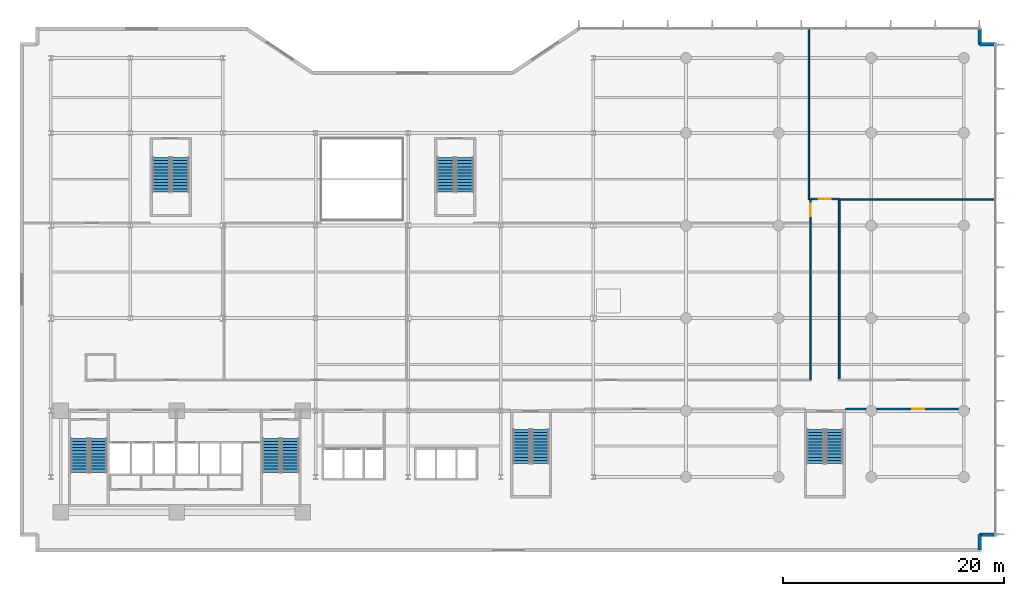
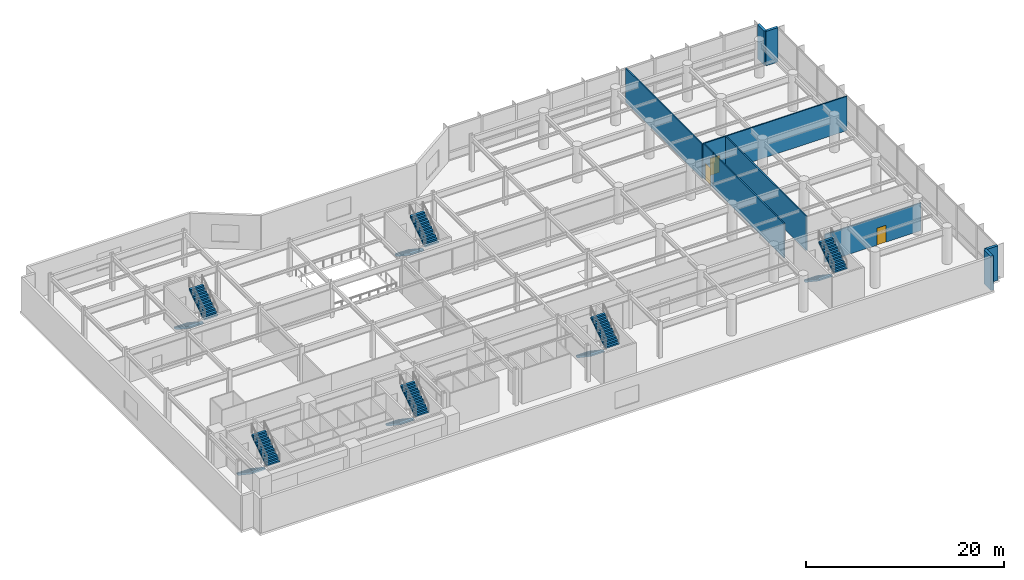
# One storey, part 18 of 26: 12 stair flights, 11 walls, 3 doors, 3 openings, 6 elements without a shape of their own.
"""IFC4 building model written with IfcOpenShell, lengths in metres."""

from ifc_helpers import new_model, si_unit, direction, frame, frame_2d, origin, place, context, subcontext, project, spatial, polyline, rectangle, outline, extrude, material, layer, layer_set, type_object, element, fill, aggregate, save


model = new_model("IFC4")

# Units and contexts
model_context = context("Model", 3, precision=1e-05, world=origin(), true_north=direction((0.0, 1.0)))
body_context = subcontext(model_context, "Body", "Model", "MODEL_VIEW")
ifc_project = project(units=[si_unit("LENGTHUNIT", "METRE"), si_unit("AREAUNIT", "SQUARE_METRE"), si_unit("VOLUMEUNIT", "CUBIC_METRE"), si_unit("PLANEANGLEUNIT", "RADIAN"), si_unit("MASSUNIT", "GRAM", prefix="KILO")], contexts=[model_context])

# Site, building, storey
site_placement = place(None, origin())
site = spatial("IfcSite", under=ifc_project, at=site_placement, CompositionType="ELEMENT")
building_placement = place(site_placement, origin())
building = spatial("IfcBuilding", under=site, at=building_placement, Name="Varnakote Quay Hospital", CompositionType="ELEMENT")
storey_placement = place(building_placement, frame((0.0, 0.0, 4.5)))
storey = spatial("IfcBuildingStorey", under=building, at=storey_placement, Name="L01", CompositionType="ELEMENT", Elevation=4.5)

# Walls
ifc_material_1 = material(Name="Precast concrete N50 (f'c 50 MPa)", Category="concrete")
ifc_layer_1 = layer(ifc_material_1, 0.300048828125)
ifc_layer_set_1 = layer_set([ifc_layer_1], Name="Precast concrete N50 (f'c 50 MPa)")
wall_type_1 = type_object("IfcWallType", Name="WL-EXT-BRICK-300", PredefinedType="STANDARD", material=ifc_layer_set_1)
wall_1_placement = place(storey_placement, frame((85.43994140625, -0.639892578125, 0.0), z_axis=(0.0, 0.0, 1.0), x_axis=(0.0, 1.0, 0.0)))
element("IfcWall", 1, at=wall_1_placement, inside=storey, type_object=wall_type_1, Name="L01 Brick-Faced Precast Exterior Wall", PredefinedType="STANDARD", context=body_context, shape_type="SweptSolid", body=[
    extrude(rectangle(XDim=1.39990234375, YDim=0.300048828125, at=frame_2d((0.699951171875, 0.0))), origin(), (0.0, 0.0, 1.0), 4.25),
])
for number, where, z_axis, x_axis, name in (
    (2, (85.43994140625, 0.760009765625, 0.0), (0.0, 0.0, 1.0), (1.0, 0.0, 0.0), "L01 Brick-Faced Precast Exterior Wall"),
    (3, (86.840087890625, 45.239990234375, 0.0), (0.0, 0.0, 1.0), (-1.0, 0.0, 0.0), "L01 Brick-Faced Precast Exterior Wall"),
):
    element("IfcWall", number, at=place(storey_placement, frame(where, z_axis=z_axis, x_axis=x_axis)), inside=storey, type_object=wall_type_1, Name=name, PredefinedType="STANDARD", context=body_context, shape_type="SweptSolid", body=[
        extrude(rectangle(XDim=1.400146484375, YDim=0.300048828125, at=frame_2d((0.7001953125, 0.0))), origin(), (0.0, 0.0, 1.0), 4.25),
    ])
wall_2_placement = place(storey_placement, frame((85.43994140625, 45.239990234375, 0.0), z_axis=(0.0, 0.0, 1.0), x_axis=(0.0, 1.0, 0.0)))
element("IfcWall", 4, at=wall_2_placement, inside=storey, type_object=wall_type_1, Name="L01 Brick-Faced Precast Exterior Wall", PredefinedType="STANDARD", context=body_context, shape_type="SweptSolid", body=[
    extrude(rectangle(XDim=1.39990234375, YDim=0.300048828125, at=frame_2d((0.699951171875, 0.0))), origin(), (0.0, 0.0, 1.0), 4.25),
])
ifc_material_2 = material(Name="Smoke-proof clinical partition", Category="gypsum")
ifc_layer_2 = layer(ifc_material_2, 0.135009765625)
ifc_layer_set_2 = layer_set([ifc_layer_2], Name="Smoke-proof clinical partition")
wall_type_2 = type_object("IfcWallType", Name="WL-SMOKE-135", PredefinedType="PARTITIONING", material=ifc_layer_set_2)
wall_3_placement = place(storey_placement, frame((86.840087890625, 31.179931640625, 0.0), z_axis=(0.0, 0.0, 1.0), x_axis=(-1.0, 0.0, 0.0)))
element("IfcWall", 5, at=wall_3_placement, inside=storey, type_object=wall_type_2, Name="L01 Clinical Interior Partition", PredefinedType="PARTITIONING", context=body_context, shape_type="SweptSolid", body=[
    extrude(rectangle(XDim=14.0751953125, YDim=0.135009765625, at=frame_2d((7.03759765625, 0.0))), origin(), (0.0, 0.0, 1.0), 4.25),
])
wall_4_placement = place(storey_placement, frame((69.949951171875, 31.1328125, 0.0), z_axis=(0.0, 0.0, 1.0), x_axis=(0.0, 1.0, 0.0)))
element("IfcWall", 6, at=wall_4_placement, inside=storey, type_object=wall_type_2, Name="L01 Clinical Interior Partition", PredefinedType="PARTITIONING", context=body_context, shape_type="SweptSolid", body=[
    extrude(rectangle(XDim=15.507080078125, YDim=0.135009765625, at=frame_2d((7.75341796875, 0.0))), origin(), (0.0, 0.0, 1.0), 4.25),
])

# Wall, opening, door
ifc_material_3 = material(Name="Fire-rated clinical gypsum partition", Category="gypsum")
ifc_layer_3 = layer(ifc_material_3, 0.14990234375)
ifc_layer_set_3 = layer_set([ifc_layer_3], Name="Fire-rated clinical gypsum partition")
wall_type_3 = type_object("IfcWallType", Name="WL-WARD-150", PredefinedType="PARTITIONING", material=ifc_layer_set_3)
wall_5_placement = place(storey_placement, frame((73.271484375, 12.159912109375, 0.0), z_axis=(0.0, 0.0, 1.0), x_axis=(1.0, 0.0, 0.0)))
wall_5 = element("IfcWall", 7, at=wall_5_placement, inside=storey, type_object=wall_type_3, Name="L01 Clinical Interior Partition", PredefinedType="PARTITIONING", context=body_context, shape_type="SweptSolid", body=[
    extrude(rectangle(XDim=11.228515625, YDim=0.14990234375, at=frame_2d((5.6142578125, 0.0))), origin(), (0.0, 0.0, 1.0), 3.425048828125),
])
opening_1_placement = place(wall_5_placement, frame((6.037109375, 0.0, 0.0)))
opening_1 = element("IfcOpeningElement", 8, at=opening_1_placement, cuts=wall_5, Name="Opening D-L01-ERAD", PredefinedType="OPENING", context=body_context, shape_type="SweptSolid", body=[
    extrude(rectangle(XDim=1.10009765625, YDim=2.10009765625, at=frame_2d((0.550048828125, 1.050048828125))), frame((0.0, 0.0849609375, 0.0), z_axis=(0.0, -1.0, 0.0), x_axis=(1.0, 0.0, 0.0)), (0.0, 0.0, 1.0), 0.169921875),
])
ifc_material_4 = material(Name="Acoustic timber clinical consult door", Category="wood")
door_type = type_object("IfcDoorType", Name="DR-CLIN-FD30S-1100x2100", OperationType="NOTDEFINED", PredefinedType="DOOR", material=ifc_material_4)
door_1_placement = place(opening_1_placement, origin())
door_1 = element("IfcDoor", 9, at=door_1_placement, inside=storey, type_object=door_type, Name="L01 Interventional Radiology Recovery Treatment Suite Door", OperationType="SINGLE_SWING_RIGHT", OverallHeight=2.10009765625, OverallWidth=1.10009765625, PredefinedType="DOOR", context=body_context, shape_type="SweptSolid", body=[
    extrude(rectangle(XDim=1.10009765625, YDim=2.10009765625, at=frame_2d((0.550048828125, 1.050048828125))), frame((0.0, 0.02490234375, 0.0), z_axis=(0.0, -1.0, 0.0), x_axis=(1.0, 0.0, 0.0)), (0.0, 0.0, 1.0), 0.050048828125),
])
fill(opening_1, door_1)

# Walls
wall_6_placement = place(storey_placement, frame((70.10009765625, 29.207275390625, 0.0), z_axis=(0.0, 0.0, 1.0), x_axis=(0.0, -1.0, 0.0)))
element("IfcWall", 10, at=wall_6_placement, inside=storey, type_object=wall_type_3, Name="L01 Clinical Interior Partition", PredefinedType="PARTITIONING", context=body_context, shape_type="SweptSolid", body=[
    extrude(rectangle(XDim=14.38720703125, YDim=0.14990234375, at=frame_2d((7.193603515625, 0.0))), origin(), (0.0, 0.0, 1.0), 4.25),
])
wall_7_placement = place(storey_placement, frame((72.699951171875, 14.820068359375, 0.0), z_axis=(0.0, 0.0, 1.0), x_axis=(0.0, 1.0, 0.0)))
element("IfcWall", 11, at=wall_7_placement, inside=storey, type_object=wall_type_3, Name="L01 Clinical Interior Partition", PredefinedType="PARTITIONING", context=body_context, shape_type="SweptSolid", body=[
    extrude(rectangle(XDim=16.3798828125, YDim=0.14990234375, at=frame_2d((8.18994140625, 0.0))), origin(), (0.0, 0.0, 1.0), 4.25),
])

# Wall, opening, door
wall_8_placement = place(storey_placement, frame((70.10009765625, 31.199951171875, 0.0), z_axis=(0.0, 0.0, 1.0), x_axis=(0.0, -1.0, 0.0)))
wall_8 = element("IfcWall", 12, at=wall_8_placement, inside=storey, type_object=wall_type_3, Name="L01 Clinical Interior Partition", PredefinedType="PARTITIONING", context=body_context, shape_type="SweptSolid", body=[
    extrude(rectangle(XDim=1.99072265625, YDim=0.14990234375, at=frame_2d((0.995361328125, 0.0))), origin(), (0.0, 0.0, 1.0), 4.25),
])
opening_2_placement = place(wall_8_placement, frame((0.4453125, 0.0, 0.0)))
opening_2 = element("IfcOpeningElement", 13, at=opening_2_placement, cuts=wall_8, Name="Opening D-L01-CONS", PredefinedType="OPENING", context=body_context, shape_type="SweptSolid", body=[
    extrude(rectangle(XDim=1.10009765625, YDim=2.10009765625, at=frame_2d((0.550048828125, 1.050048828125))), frame((0.0, 0.0849609375, 0.0), z_axis=(0.0, -1.0, 0.0), x_axis=(1.0, 0.0, 0.0)), (0.0, 0.0, 1.0), 0.169921875),
])
door_2_placement = place(opening_2_placement, origin())
door_2 = element("IfcDoor", 14, at=door_2_placement, inside=storey, type_object=door_type, Name="L01 Radiology Reporting Consult Office Door", OperationType="SINGLE_SWING_LEFT", OverallHeight=2.10009765625, OverallWidth=1.10009765625, PredefinedType="DOOR", context=body_context, shape_type="SweptSolid", body=[
    extrude(rectangle(XDim=1.10009765625, YDim=2.10009765625, at=frame_2d((0.550048828125, 1.050048828125))), frame((0.0, 0.02490234375, 0.0), z_axis=(0.0, -1.0, 0.0), x_axis=(1.0, 0.0, 0.0)), (0.0, 0.0, 1.0), 0.050048828125),
])
fill(opening_2, door_2)

wall_9_placement = place(storey_placement, frame((72.699951171875, 31.199951171875, 0.0), z_axis=(0.0, 0.0, 1.0), x_axis=(-1.0, 0.0, 0.0)))
wall_9 = element("IfcWall", 15, at=wall_9_placement, inside=storey, type_object=wall_type_3, Name="L01 Clinical Interior Partition", PredefinedType="PARTITIONING", context=body_context, shape_type="SweptSolid", body=[
    extrude(rectangle(XDim=2.599853515625, YDim=0.14990234375, at=frame_2d((1.2998046875, 0.0))), origin(), (0.0, 0.0, 1.0), 4.25),
])
opening_3_placement = place(wall_9_placement, frame((0.75, 0.0, 0.0)))
opening_3 = element("IfcOpeningElement", 16, at=opening_3_placement, cuts=wall_9, Name="Opening D-L01-EREP", PredefinedType="OPENING", context=body_context, shape_type="SweptSolid", body=[
    extrude(rectangle(XDim=1.10009765625, YDim=2.10009765625, at=frame_2d((0.550048828125, 1.050048828125))), frame((0.0, 0.0849609375, 0.0), z_axis=(0.0, -1.0, 0.0), x_axis=(1.0, 0.0, 0.0)), (0.0, 0.0, 1.0), 0.169921875),
])
door_3_placement = place(opening_3_placement, origin())
door_3 = element("IfcDoor", 17, at=door_3_placement, inside=storey, type_object=door_type, Name="L01 Diagnostic Radiology Conferencing Meeting Room Door", OperationType="SINGLE_SWING_RIGHT", OverallHeight=2.10009765625, OverallWidth=1.10009765625, PredefinedType="DOOR", context=body_context, shape_type="SweptSolid", body=[
    extrude(rectangle(XDim=1.10009765625, YDim=2.10009765625, at=frame_2d((0.550048828125, 1.050048828125))), frame((0.0, 0.02490234375, 0.0), z_axis=(0.0, -1.0, 0.0), x_axis=(1.0, 0.0, 0.0)), (0.0, 0.0, 1.0), 0.050048828125),
])
fill(opening_3, door_3)

# Stair, stair flights
ifc_material_5 = material(Name="Concrete N40 (f'c 40 MPa)", Category="concrete")
stair_type_1 = type_object("IfcStairType", Name="STR-CORE-1580", PredefinedType="HALF_TURN_STAIR", material=ifc_material_5)
stair_1_placement = place(storey_placement, origin())
stair_1 = element("IfcStair", 18, at=stair_1_placement, inside=storey, type_object=stair_type_1, Name="L01 Fire-Isolated Exit Stair ST-01", PredefinedType="HALF_TURN_STAIR")
ifc_material_6 = material(Name="Concrete N40 (f'c 40 MPa)", Category="concrete")
ifc_layer_4 = layer(ifc_material_6, 0.159912109375)
ifc_layer_set_4 = layer_set([ifc_layer_4], Name="Concrete N40 (f'c 40 MPa)")
stair_flight_type_1 = type_object("IfcStairFlightType", Name="FLT-CORE-1580", PredefinedType="STRAIGHT", material=ifc_layer_set_4)
stair_flight_1_placement = place(storey_placement, frame((3.7900390625, 9.5, 0.0), z_axis=(0.0, 0.0, 1.0), x_axis=(0.0, -1.0, 0.0)))
stair_flight_1 = element("IfcStairFlight", 19, at=stair_flight_1_placement, type_object=stair_flight_type_1, Name="ST-01 flight 1", NumberOfRisers=12, NumberOfTreads=11, PredefinedType="STRAIGHT", RiserHeight=0.1875, TreadLength=0.28, context=body_context, shape_type="SweptSolid", body=[
    extrude(outline(polyline([(0.0, 0.0), (0.0, 0.1875), (0.280029296875, 0.1875), (0.280029296875, 0.375), (0.56005859375, 0.375), (0.56005859375, 0.5625), (0.840087890625, 0.5625), (0.840087890625, 0.75), (1.1201171875, 0.75), (1.1201171875, 0.9375), (1.39990234375, 0.9375), (1.39990234375, 1.125), (1.679931640625, 1.125), (1.679931640625, 1.3125), (1.9599609375, 1.3125), (1.9599609375, 1.5), (2.239990234375, 1.5), (2.239990234375, 1.6875), (2.52001953125, 1.6875), (2.52001953125, 1.875), (2.800048828125, 1.875), (2.800048828125, 2.0625), (3.080078125, 2.0625), (3.080078125, 2.25), (3.080078125, 1.8701171875), (0.287353515625, 0.0), (0.0, 0.0)])), frame((0.0, 0.7900390625, 0.0), z_axis=(0.0, -1.0, 0.0), x_axis=(1.0, 0.0, 0.0)), (0.0, 0.0, 1.0), 1.580078125),
])
stair_flight_2_placement = place(storey_placement, frame((5.510009765625, 6.419921875, 2.25), z_axis=(0.0, 0.0, 1.0), x_axis=(0.0, 1.0, 0.0)))
stair_flight_2 = element("IfcStairFlight", 20, at=stair_flight_2_placement, type_object=stair_flight_type_1, Name="ST-01 flight 2", NumberOfRisers=12, NumberOfTreads=11, PredefinedType="STRAIGHT", RiserHeight=0.1875, TreadLength=0.28, context=body_context, shape_type="SweptSolid", body=[
    extrude(outline(polyline([(0.0, 0.0), (0.0, 0.1875), (0.280029296875, 0.1875), (0.280029296875, 0.375), (0.56005859375, 0.375), (0.56005859375, 0.5625), (0.840087890625, 0.5625), (0.840087890625, 0.75), (1.1201171875, 0.75), (1.1201171875, 0.9375), (1.39990234375, 0.9375), (1.39990234375, 1.125), (1.679931640625, 1.125), (1.679931640625, 1.3125), (1.9599609375, 1.3125), (1.9599609375, 1.5), (2.239990234375, 1.5), (2.239990234375, 1.6875), (2.52001953125, 1.6875), (2.52001953125, 1.875), (2.800048828125, 1.875), (2.800048828125, 2.0625), (3.080078125, 2.0625), (3.080078125, 2.25), (3.080078125, 1.8701171875), (0.287353515625, 0.0), (0.0, 0.0)])), frame((0.0, 0.7900390625, 0.0), z_axis=(0.0, -1.0, 0.0), x_axis=(1.0, 0.0, 0.0)), (0.0, 0.0, 1.0), 1.580078125),
])
aggregate(stair_1, [stair_flight_1, stair_flight_2])

stair_2_placement = place(storey_placement, origin())
stair_2 = element("IfcStair", 21, at=stair_2_placement, inside=storey, type_object=stair_type_1, Name="L01 Fire-Isolated Exit Stair ST-02", PredefinedType="HALF_TURN_STAIR")
stair_flight_3_placement = place(storey_placement, frame((21.18994140625, 9.5, 0.0), z_axis=(0.0, 0.0, 1.0), x_axis=(0.0, -1.0, 0.0)))
stair_flight_3 = element("IfcStairFlight", 22, at=stair_flight_3_placement, type_object=stair_flight_type_1, Name="ST-02 flight 1", NumberOfRisers=12, NumberOfTreads=11, PredefinedType="STRAIGHT", RiserHeight=0.1875, TreadLength=0.28, context=body_context, shape_type="SweptSolid", body=[
    extrude(outline(polyline([(0.0, 0.0), (0.0, 0.1875), (0.280029296875, 0.1875), (0.280029296875, 0.375), (0.56005859375, 0.375), (0.56005859375, 0.5625), (0.840087890625, 0.5625), (0.840087890625, 0.75), (1.1201171875, 0.75), (1.1201171875, 0.9375), (1.39990234375, 0.9375), (1.39990234375, 1.125), (1.679931640625, 1.125), (1.679931640625, 1.3125), (1.9599609375, 1.3125), (1.9599609375, 1.5), (2.239990234375, 1.5), (2.239990234375, 1.6875), (2.52001953125, 1.6875), (2.52001953125, 1.875), (2.800048828125, 1.875), (2.800048828125, 2.0625), (3.080078125, 2.0625), (3.080078125, 2.25), (3.080078125, 1.8701171875), (0.287353515625, 0.0), (0.0, 0.0)])), frame((0.0, 0.7900390625, 0.0), z_axis=(0.0, -1.0, 0.0), x_axis=(1.0, 0.0, 0.0)), (0.0, 0.0, 1.0), 1.580078125),
])
stair_flight_4_placement = place(storey_placement, frame((22.909912109375, 6.419921875, 2.25), z_axis=(0.0, 0.0, 1.0), x_axis=(0.0, 1.0, 0.0)))
stair_flight_4 = element("IfcStairFlight", 23, at=stair_flight_4_placement, type_object=stair_flight_type_1, Name="ST-02 flight 2", NumberOfRisers=12, NumberOfTreads=11, PredefinedType="STRAIGHT", RiserHeight=0.1875, TreadLength=0.28, context=body_context, shape_type="SweptSolid", body=[
    extrude(outline(polyline([(0.0, 0.0), (0.0, 0.1875), (0.280029296875, 0.1875), (0.280029296875, 0.375), (0.56005859375, 0.375), (0.56005859375, 0.5625), (0.840087890625, 0.5625), (0.840087890625, 0.75), (1.1201171875, 0.75), (1.1201171875, 0.9375), (1.39990234375, 0.9375), (1.39990234375, 1.125), (1.679931640625, 1.125), (1.679931640625, 1.3125), (1.9599609375, 1.3125), (1.9599609375, 1.5), (2.239990234375, 1.5), (2.239990234375, 1.6875), (2.52001953125, 1.6875), (2.52001953125, 1.875), (2.800048828125, 1.875), (2.800048828125, 2.0625), (3.080078125, 2.0625), (3.080078125, 2.25), (3.080078125, 1.8701171875), (0.287353515625, 0.0), (0.0, 0.0)])), frame((0.0, 0.7900390625, 0.0), z_axis=(0.0, -1.0, 0.0), x_axis=(1.0, 0.0, 0.0)), (0.0, 0.0, 1.0), 1.580078125),
])
aggregate(stair_2, [stair_flight_3, stair_flight_4])

stair_3_placement = place(storey_placement, origin())
stair_3 = element("IfcStair", 24, at=stair_3_placement, inside=storey, type_object=stair_type_1, Name="L01 Fire-Isolated Exit Stair ST-03", PredefinedType="HALF_TURN_STAIR")
stair_flight_5_placement = place(storey_placement, frame((43.889892578125, 10.300048828125, 0.0), z_axis=(0.0, 0.0, 1.0), x_axis=(0.0, -1.0, 0.0)))
stair_flight_5 = element("IfcStairFlight", 25, at=stair_flight_5_placement, type_object=stair_flight_type_1, Name="ST-03 flight 1", NumberOfRisers=12, NumberOfTreads=11, PredefinedType="STRAIGHT", RiserHeight=0.1875, TreadLength=0.28, context=body_context, shape_type="SweptSolid", body=[
    extrude(outline(polyline([(0.0, 0.0), (0.0, 0.1875), (0.280029296875, 0.1875), (0.280029296875, 0.375), (0.56005859375, 0.375), (0.56005859375, 0.5625), (0.840087890625, 0.5625), (0.840087890625, 0.75), (1.1201171875, 0.75), (1.1201171875, 0.9375), (1.39990234375, 0.9375), (1.39990234375, 1.125), (1.679931640625, 1.125), (1.679931640625, 1.3125), (1.9599609375, 1.3125), (1.9599609375, 1.5), (2.239990234375, 1.5), (2.239990234375, 1.6875), (2.52001953125, 1.6875), (2.52001953125, 1.875), (2.800048828125, 1.875), (2.800048828125, 2.0625), (3.080078125, 2.0625), (3.080078125, 2.25), (3.080078125, 1.8701171875), (0.287353515625, 0.0), (0.0, 0.0)])), frame((0.0, 0.7900390625, 0.0), z_axis=(0.0, -1.0, 0.0), x_axis=(1.0, 0.0, 0.0)), (0.0, 0.0, 1.0), 1.580078125),
])
stair_flight_6_placement = place(storey_placement, frame((45.610107421875, 7.219970703125, 2.25), z_axis=(0.0, 0.0, 1.0), x_axis=(0.0, 1.0, 0.0)))
stair_flight_6 = element("IfcStairFlight", 26, at=stair_flight_6_placement, type_object=stair_flight_type_1, Name="ST-03 flight 2", NumberOfRisers=12, NumberOfTreads=11, PredefinedType="STRAIGHT", RiserHeight=0.1875, TreadLength=0.28, context=body_context, shape_type="SweptSolid", body=[
    extrude(outline(polyline([(0.0, 0.0), (0.0, 0.1875), (0.280029296875, 0.1875), (0.280029296875, 0.375), (0.56005859375, 0.375), (0.56005859375, 0.5625), (0.840087890625, 0.5625), (0.840087890625, 0.75), (1.1201171875, 0.75), (1.1201171875, 0.9375), (1.39990234375, 0.9375), (1.39990234375, 1.125), (1.679931640625, 1.125), (1.679931640625, 1.3125), (1.9599609375, 1.3125), (1.9599609375, 1.5), (2.239990234375, 1.5), (2.239990234375, 1.6875), (2.52001953125, 1.6875), (2.52001953125, 1.875), (2.800048828125, 1.875), (2.800048828125, 2.0625), (3.080078125, 2.0625), (3.080078125, 2.25), (3.080078125, 1.8701171875), (0.287353515625, 0.0), (0.0, 0.0)])), frame((0.0, 0.7900390625, 0.0), z_axis=(0.0, -1.0, 0.0), x_axis=(1.0, 0.0, 0.0)), (0.0, 0.0, 1.0), 1.580078125),
])
aggregate(stair_3, [stair_flight_5, stair_flight_6])

stair_4_placement = place(storey_placement, origin())
stair_4 = element("IfcStair", 27, at=stair_4_placement, inside=storey, type_object=stair_type_1, Name="L01 East Podium Fire-Isolated Exit Stair ST-06", PredefinedType="HALF_TURN_STAIR")
stair_flight_7_placement = place(storey_placement, frame((70.5400390625, 10.300048828125, 0.0), z_axis=(0.0, 0.0, 1.0), x_axis=(0.0, -1.0, 0.0)))
stair_flight_7 = element("IfcStairFlight", 28, at=stair_flight_7_placement, type_object=stair_flight_type_1, Name="ST-06 flight 1", NumberOfRisers=12, NumberOfTreads=11, PredefinedType="STRAIGHT", RiserHeight=0.1875, TreadLength=0.28, context=body_context, shape_type="SweptSolid", body=[
    extrude(outline(polyline([(0.0, 0.0), (0.0, 0.1875), (0.280029296875, 0.1875), (0.280029296875, 0.375), (0.56005859375, 0.375), (0.56005859375, 0.5625), (0.840087890625, 0.5625), (0.840087890625, 0.75), (1.1201171875, 0.75), (1.1201171875, 0.9375), (1.39990234375, 0.9375), (1.39990234375, 1.125), (1.679931640625, 1.125), (1.679931640625, 1.3125), (1.9599609375, 1.3125), (1.9599609375, 1.5), (2.239990234375, 1.5), (2.239990234375, 1.6875), (2.52001953125, 1.6875), (2.52001953125, 1.875), (2.800048828125, 1.875), (2.800048828125, 2.0625), (3.080078125, 2.0625), (3.080078125, 2.25), (3.080078125, 1.8701171875), (0.287353515625, 0.0), (0.0, 0.0)])), frame((0.0, 0.7900390625, 0.0), z_axis=(0.0, -1.0, 0.0), x_axis=(1.0, 0.0, 0.0)), (0.0, 0.0, 1.0), 1.580078125),
])
stair_flight_8_placement = place(storey_placement, frame((72.260009765625, 7.219970703125, 2.25), z_axis=(0.0, 0.0, 1.0), x_axis=(0.0, 1.0, 0.0)))
stair_flight_8 = element("IfcStairFlight", 29, at=stair_flight_8_placement, type_object=stair_flight_type_1, Name="ST-06 flight 2", NumberOfRisers=12, NumberOfTreads=11, PredefinedType="STRAIGHT", RiserHeight=0.1875, TreadLength=0.28, context=body_context, shape_type="SweptSolid", body=[
    extrude(outline(polyline([(0.0, 0.0), (0.0, 0.1875), (0.280029296875, 0.1875), (0.280029296875, 0.375), (0.56005859375, 0.375), (0.56005859375, 0.5625), (0.840087890625, 0.5625), (0.840087890625, 0.75), (1.1201171875, 0.75), (1.1201171875, 0.9375), (1.39990234375, 0.9375), (1.39990234375, 1.125), (1.679931640625, 1.125), (1.679931640625, 1.3125), (1.9599609375, 1.3125), (1.9599609375, 1.5), (2.239990234375, 1.5), (2.239990234375, 1.6875), (2.52001953125, 1.6875), (2.52001953125, 1.875), (2.800048828125, 1.875), (2.800048828125, 2.0625), (3.080078125, 2.0625), (3.080078125, 2.25), (3.080078125, 1.8701171875), (0.287353515625, 0.0), (0.0, 0.0)])), frame((0.0, 0.7900390625, 0.0), z_axis=(0.0, -1.0, 0.0), x_axis=(1.0, 0.0, 0.0)), (0.0, 0.0, 1.0), 1.580078125),
])
aggregate(stair_4, [stair_flight_7, stair_flight_8])

ifc_material_7 = material(Name="Concrete N40 (f'c 40 MPa)", Category="concrete")
stair_type_2 = type_object("IfcStairType", Name="STR-POD-1600", PredefinedType="HALF_TURN_STAIR", material=ifc_material_7)
stair_5_placement = place(storey_placement, origin())
stair_5 = element("IfcStair", 30, at=stair_5_placement, inside=storey, type_object=stair_type_2, Name="L01 Podium Diagnostic Stair ST-04", PredefinedType="HALF_TURN_STAIR")
ifc_material_8 = material(Name="Concrete N40 (f'c 40 MPa)", Category="concrete")
ifc_layer_5 = layer(ifc_material_8, 0.179931640625)
ifc_layer_set_5 = layer_set([ifc_layer_5], Name="Concrete N40 (f'c 40 MPa)")
stair_flight_type_2 = type_object("IfcStairFlightType", Name="FLT-POD-1600", PredefinedType="STRAIGHT", material=ifc_layer_set_5)
stair_flight_9_placement = place(storey_placement, frame((11.199951171875, 34.97998046875, 0.0), z_axis=(0.0, 0.0, 1.0), x_axis=(0.0, -1.0, 0.0)))
stair_flight_9 = element("IfcStairFlight", 31, at=stair_flight_9_placement, type_object=stair_flight_type_2, Name="ST-04 flight 1", NumberOfRisers=12, NumberOfTreads=11, PredefinedType="STRAIGHT", RiserHeight=0.1875, TreadLength=0.285, context=body_context, shape_type="SweptSolid", body=[
    extrude(outline(polyline([(0.0, 0.0), (0.0, 0.1875), (0.284912109375, 0.1875), (0.284912109375, 0.375), (0.570068359375, 0.375), (0.570068359375, 0.5625), (0.85498046875, 0.5625), (0.85498046875, 0.75), (1.139892578125, 0.75), (1.139892578125, 0.9375), (1.425048828125, 0.9375), (1.425048828125, 1.125), (1.7099609375, 1.125), (1.7099609375, 1.3125), (1.9951171875, 1.3125), (1.9951171875, 1.5), (2.280029296875, 1.5), (2.280029296875, 1.6875), (2.56494140625, 1.6875), (2.56494140625, 1.875), (2.85009765625, 1.875), (2.85009765625, 2.0625), (3.135009765625, 2.0625), (3.135009765625, 2.25), (3.135009765625, 1.84716796875), (0.327392578125, 0.0), (0.0, 0.0)])), frame((0.0, 0.800048828125, 0.0), z_axis=(0.0, -1.0, 0.0), x_axis=(1.0, 0.0, 0.0)), (0.0, 0.0, 1.0), 1.60009765625),
])
stair_flight_10_placement = place(storey_placement, frame((12.93994140625, 31.844970703125, 2.25), z_axis=(0.0, 0.0, 1.0), x_axis=(0.0, 1.0, 0.0)))
stair_flight_10 = element("IfcStairFlight", 32, at=stair_flight_10_placement, type_object=stair_flight_type_2, Name="ST-04 flight 2", NumberOfRisers=12, NumberOfTreads=11, PredefinedType="STRAIGHT", RiserHeight=0.1875, TreadLength=0.285, context=body_context, shape_type="SweptSolid", body=[
    extrude(outline(polyline([(0.0, 0.0), (0.0, 0.1875), (0.284912109375, 0.1875), (0.284912109375, 0.375), (0.570068359375, 0.375), (0.570068359375, 0.5625), (0.85498046875, 0.5625), (0.85498046875, 0.75), (1.139892578125, 0.75), (1.139892578125, 0.9375), (1.425048828125, 0.9375), (1.425048828125, 1.125), (1.7099609375, 1.125), (1.7099609375, 1.3125), (1.9951171875, 1.3125), (1.9951171875, 1.5), (2.280029296875, 1.5), (2.280029296875, 1.6875), (2.56494140625, 1.6875), (2.56494140625, 1.875), (2.85009765625, 1.875), (2.85009765625, 2.0625), (3.135009765625, 2.0625), (3.135009765625, 2.25), (3.135009765625, 1.84716796875), (0.327392578125, 0.0), (0.0, 0.0)])), frame((0.0, 0.800048828125, 0.0), z_axis=(0.0, -1.0, 0.0), x_axis=(1.0, 0.0, 0.0)), (0.0, 0.0, 1.0), 1.60009765625),
])
aggregate(stair_5, [stair_flight_9, stair_flight_10])

stair_6_placement = place(storey_placement, origin())
stair_6 = element("IfcStair", 33, at=stair_6_placement, inside=storey, type_object=stair_type_2, Name="L01 Podium Surgical Stair ST-05", PredefinedType="HALF_TURN_STAIR")
stair_flight_11_placement = place(storey_placement, frame((37.0, 34.97998046875, 0.0), z_axis=(0.0, 0.0, 1.0), x_axis=(0.0, -1.0, 0.0)))
stair_flight_11 = element("IfcStairFlight", 34, at=stair_flight_11_placement, type_object=stair_flight_type_2, Name="ST-05 flight 1", NumberOfRisers=12, NumberOfTreads=11, PredefinedType="STRAIGHT", RiserHeight=0.1875, TreadLength=0.285, context=body_context, shape_type="SweptSolid", body=[
    extrude(outline(polyline([(0.0, 0.0), (0.0, 0.1875), (0.284912109375, 0.1875), (0.284912109375, 0.375), (0.570068359375, 0.375), (0.570068359375, 0.5625), (0.85498046875, 0.5625), (0.85498046875, 0.75), (1.139892578125, 0.75), (1.139892578125, 0.9375), (1.425048828125, 0.9375), (1.425048828125, 1.125), (1.7099609375, 1.125), (1.7099609375, 1.3125), (1.9951171875, 1.3125), (1.9951171875, 1.5), (2.280029296875, 1.5), (2.280029296875, 1.6875), (2.56494140625, 1.6875), (2.56494140625, 1.875), (2.85009765625, 1.875), (2.85009765625, 2.0625), (3.135009765625, 2.0625), (3.135009765625, 2.25), (3.135009765625, 1.84716796875), (0.327392578125, 0.0), (0.0, 0.0)])), frame((0.0, 0.800048828125, 0.0), z_axis=(0.0, -1.0, 0.0), x_axis=(1.0, 0.0, 0.0)), (0.0, 0.0, 1.0), 1.60009765625),
])
stair_flight_12_placement = place(storey_placement, frame((38.739990234375, 31.844970703125, 2.25), z_axis=(0.0, 0.0, 1.0), x_axis=(0.0, 1.0, 0.0)))
stair_flight_12 = element("IfcStairFlight", 35, at=stair_flight_12_placement, type_object=stair_flight_type_2, Name="ST-05 flight 2", NumberOfRisers=12, NumberOfTreads=11, PredefinedType="STRAIGHT", RiserHeight=0.1875, TreadLength=0.285, context=body_context, shape_type="SweptSolid", body=[
    extrude(outline(polyline([(0.0, 0.0), (0.0, 0.1875), (0.284912109375, 0.1875), (0.284912109375, 0.375), (0.570068359375, 0.375), (0.570068359375, 0.5625), (0.85498046875, 0.5625), (0.85498046875, 0.75), (1.139892578125, 0.75), (1.139892578125, 0.9375), (1.425048828125, 0.9375), (1.425048828125, 1.125), (1.7099609375, 1.125), (1.7099609375, 1.3125), (1.9951171875, 1.3125), (1.9951171875, 1.5), (2.280029296875, 1.5), (2.280029296875, 1.6875), (2.56494140625, 1.6875), (2.56494140625, 1.875), (2.85009765625, 1.875), (2.85009765625, 2.0625), (3.135009765625, 2.0625), (3.135009765625, 2.25), (3.135009765625, 1.84716796875), (0.327392578125, 0.0), (0.0, 0.0)])), frame((0.0, 0.800048828125, 0.0), z_axis=(0.0, -1.0, 0.0), x_axis=(1.0, 0.0, 0.0)), (0.0, 0.0, 1.0), 1.60009765625),
])
aggregate(stair_6, [stair_flight_11, stair_flight_12])

save(model, "model.ifc")
